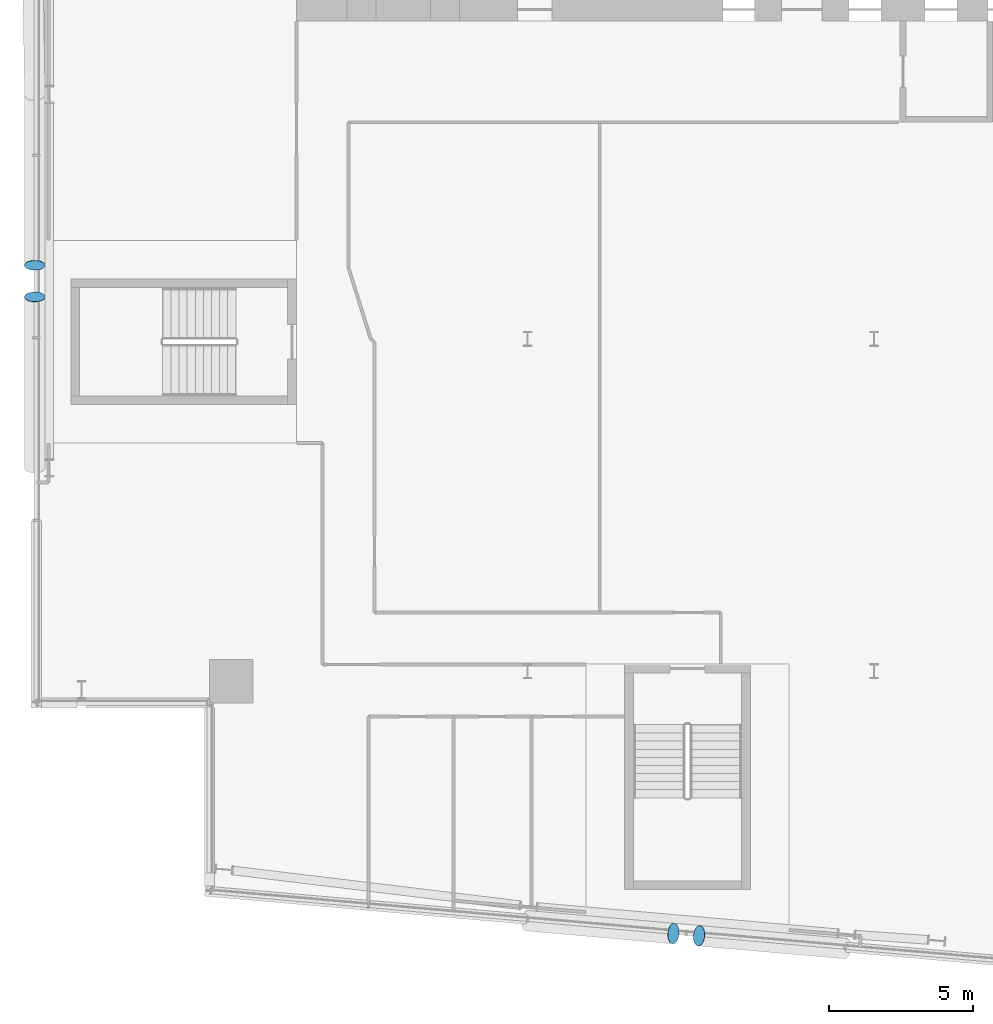
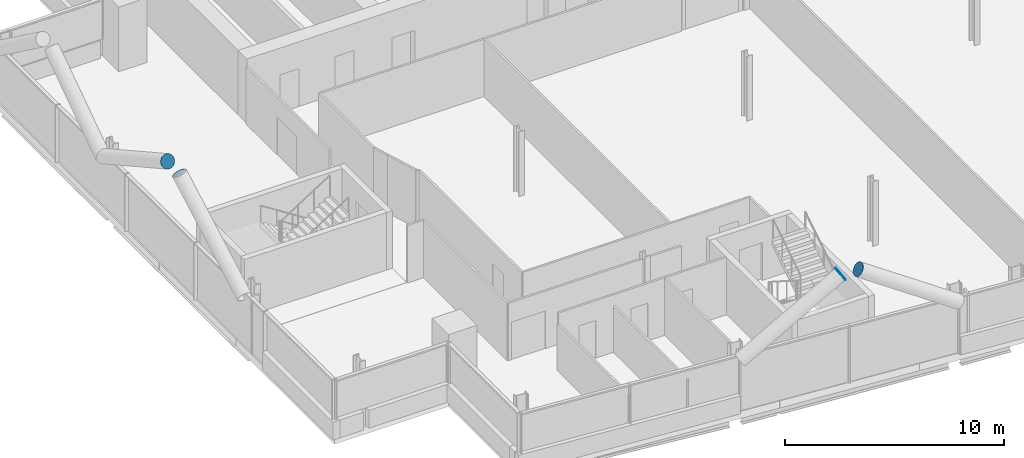
# One storey, part 21 of 26: 4 discrete accessories.
"""IFC4 building model written with IfcOpenShell, lengths in metres."""

import ifcopenshell
import ifcopenshell.guid

model = None  # the IFC model being written
_history = None  # IfcOwnerHistory: only IFC2X3 demands one
_inside = {}  # id of a spatial element -> (the spatial element, [elements in it])
_under = {}  # id of a project, library or spatial element -> (it, [spatial elements below it])
_declared = {}  # id of a project -> (the project, [libraries it declares])
_typed = {}  # id of a type object -> (the type object, [elements of that type])
_made_of = {}  # id of a material, layer set ... -> (it, [elements and type objects made of it])


def new_model(schema):
    """Start an empty IFC model of exactly this schema.

    Asked for "IFC4X3", IfcOpenShell would pick the latest addendum, in which some entities
    have other attributes; the version numbers below select the first issue.
    IFC2X3 requires an IfcOwnerHistory on every rooted entity: one is made here for all.
    """
    global model, _history
    if schema == "IFC4X3":
        model = ifcopenshell.file(schema_version=(4, 3, 0, 0))
    else:
        model = ifcopenshell.file(schema=schema)
    _inside.clear()
    _under.clear()
    _declared.clear()
    _typed.clear()
    _made_of.clear()
    _history = None
    if model.schema == "IFC2X3":
        org = make("IfcOrganization", Name="unknown")
        user = make(
            "IfcPersonAndOrganization",
            ThePerson=make("IfcPerson", FamilyName="unknown"),
            TheOrganization=org,
        )
        app = make(
            "IfcApplication",
            ApplicationDeveloper=org,
            Version="unknown",
            ApplicationFullName="unknown",
            ApplicationIdentifier="unknown",
        )
        _history = make(
            "IfcOwnerHistory",
            OwningUser=user,
            OwningApplication=app,
            ChangeAction="ADDED",
            CreationDate=0,
        )
    return model


def make(cls, **values):
    """One entity of the class cls with the attributes given. An attribute that is None is left unset."""
    return model.create_entity(
        cls, **{name: value for name, value in values.items() if value is not None}
    )


def rooted(cls, **values):
    """An entity with a GlobalId (a new one), such as an element, a storey or a relation."""
    return make(cls, GlobalId=ifcopenshell.guid.new(), OwnerHistory=_history, **values)


def si_unit(unit_type, name, prefix=None):
    """IfcSIUnit, for example si_unit("LENGTHUNIT", "METRE", prefix="MILLI")."""
    return make("IfcSIUnit", UnitType=unit_type, Prefix=prefix, Name=name)


def assignment(units):
    """IfcUnitAssignment: the units of a project."""
    return None if units is None else make("IfcUnitAssignment", Units=units)


def point(xyz):
    """IfcCartesianPoint."""
    return None if xyz is None else make("IfcCartesianPoint", Coordinates=xyz)


def direction(xyz):
    """IfcDirection."""
    return None if xyz is None else make("IfcDirection", DirectionRatios=xyz)


def frame(location, z_axis=None, x_axis=None):
    """IfcAxis2Placement3D, a coordinate frame: its origin and axes. An axis left out is left unset."""
    return make(
        "IfcAxis2Placement3D",
        Location=point(location),
        Axis=direction(z_axis),
        RefDirection=direction(x_axis),
    )


def frame_2d(location, x_axis=None):
    """IfcAxis2Placement2D, a coordinate frame in the plane: its origin and x axis."""
    return make(
        "IfcAxis2Placement2D", Location=point(location), RefDirection=direction(x_axis)
    )


def origin():
    """The frame at (0, 0, 0) with its axes left unset."""
    return frame((0.0, 0.0, 0.0))


def origin_2d():
    """The frame at (0, 0) in the plane with its x axis left unset."""
    return frame_2d((0.0, 0.0))


def place(relative_to, where):
    """IfcLocalPlacement: puts the frame where relative to a parent placement (None: the world)."""
    return make(
        "IfcLocalPlacement", PlacementRelTo=relative_to, RelativePlacement=where
    )


def context(
    kind, dimensions, precision=None, world=None, true_north=None, identifier=None
):
    """IfcGeometricRepresentationContext, for example the 3D "Model" context."""
    return make(
        "IfcGeometricRepresentationContext",
        ContextIdentifier=identifier,
        ContextType=kind,
        CoordinateSpaceDimension=dimensions,
        Precision=precision,
        WorldCoordinateSystem=world,
        TrueNorth=true_north,
    )


def subcontext(parent, identifier, kind, view, scale=None):
    """IfcGeometricRepresentationSubContext, for example "Body" below "Model"."""
    return make(
        "IfcGeometricRepresentationSubContext",
        ContextIdentifier=identifier,
        ContextType=kind,
        ParentContext=parent,
        TargetScale=scale,
        TargetView=view,
    )


def project(units=None, contexts=None):
    """IfcProject with its units and contexts."""
    return rooted(
        "IfcProject",
        Name="project",
        RepresentationContexts=contexts,
        UnitsInContext=assignment(units),
    )


def spatial(cls, under=None, at=None, **own):
    """A site, building, storey or space (cls), placed at a placement, below another one or the project."""
    s = rooted(cls, ObjectPlacement=at, **own)
    if under is not None:
        _under.setdefault(under.id(), (under, []))[1].append(s)
    return s


def profile(cls, at=None, kind="AREA", **sizes):
    """A parametric profile (cls). Its sizes go by their IFC names, for example OverallWidth=200.0."""
    return make(cls, ProfileType=kind, Position=at, **sizes)


def circle(**sizes):
    """IfcCircleProfileDef."""
    return profile("IfcCircleProfileDef", **sizes)


def extrude(swept, where, along, depth):
    """IfcExtrudedAreaSolid: the profile swept, set in the frame where, extruded along a direction by depth."""
    return make(
        "IfcExtrudedAreaSolid",
        SweptArea=swept,
        Position=where,
        ExtrudedDirection=direction(along),
        Depth=depth,
    )


def shape(context_of_items, identifier, shape_type, items):
    """IfcShapeRepresentation: the items that make up one representation, for example the "Body"."""
    return make(
        "IfcShapeRepresentation",
        ContextOfItems=context_of_items,
        RepresentationIdentifier=identifier,
        RepresentationType=shape_type,
        Items=items,
    )


def material(Name=None, Category=None):
    """IfcMaterial."""
    return make("IfcMaterial", Name=Name, Category=Category)


def material_profile(
    of_material, cross_section, Name=None, Category=None, Priority=None
):
    """IfcMaterialProfile: a cross section and its material."""
    return make(
        "IfcMaterialProfile",
        Name=Name,
        Material=of_material,
        Profile=cross_section,
        Priority=Priority,
        Category=Category,
    )


def profile_set(profiles, Name=None, composite=None):
    """IfcMaterialProfileSet."""
    return make(
        "IfcMaterialProfileSet",
        Name=Name,
        MaterialProfiles=profiles,
        CompositeProfile=composite,
    )


def made_of(thing, what):
    """Note that an element or type object is made of a material, layer set ...; save() writes the relation."""
    if what is not None:
        _made_of.setdefault(what.id(), (what, []))[1].append(thing)
    return thing


def type_object(cls, material=None, **own):
    """A type object (cls), such as IfcWallType, which elements share."""
    return made_of(rooted(cls, **own), material)


def element(
    cls,
    number,
    at=None,
    inside=None,
    cuts=None,
    type_object=None,
    material=None,
    context=None,
    identifier="Body",
    shape_type=None,
    held_by="IfcProductDefinitionShape",
    body=None,
    shapes=None,
    **own,
):
    """One element of the class cls, such as IfcWall. Its Tag is "e" and its number.

    at: its placement. inside: the storey or other place that contains it. cuts: it is an
    opening in that element (IfcRelVoidsElement). A single representation is given by context,
    identifier, shape_type and body (its items); several are given by shapes. held_by: the class
    of the entity that holds the representations. save() writes the other relations.
    """
    e = rooted(cls, Tag="e%d" % number, ObjectPlacement=at, **own)
    if body is not None:
        shapes = [shape(context, identifier, shape_type, body)]
    if shapes is not None:
        e.Representation = make(held_by, Representations=shapes)
    if inside is not None:
        _inside.setdefault(inside.id(), (inside, []))[1].append(e)
    if cuts is not None:
        rooted(
            "IfcRelVoidsElement", RelatingBuildingElement=cuts, RelatedOpeningElement=e
        )
    if type_object is not None:
        _typed.setdefault(type_object.id(), (type_object, []))[1].append(e)
    return made_of(e, material)


def aggregate(whole, parts):
    """IfcRelAggregates: a whole, such as a stair, and the parts it consists of."""
    return rooted("IfcRelAggregates", RelatingObject=whole, RelatedObjects=parts)


def save(model, path):
    """Write the relations noted so far, then the file.

    IfcRelAggregates (storeys below a building ...), IfcRelContainedInSpatialStructure (elements
    in a storey), IfcRelDefinesByType, IfcRelAssociatesMaterial and IfcRelDeclares: one each for
    every whole, place, type object, material and project.
    """
    for whole, parts in _under.values():
        aggregate(whole, parts)
    for where, things in _inside.values():
        rooted(
            "IfcRelContainedInSpatialStructure",
            RelatedElements=things,
            RelatingStructure=where,
        )
    for kind, things in _typed.values():
        rooted("IfcRelDefinesByType", RelatedObjects=things, RelatingType=kind)
    for what, things in _made_of.values():
        rooted("IfcRelAssociatesMaterial", RelatedObjects=things, RelatingMaterial=what)
    for by, libraries in _declared.values():
        rooted("IfcRelDeclares", RelatingContext=by, RelatedDefinitions=libraries)
    model.write(path)


model = new_model("IFC4")

# Units and contexts
model_context = context("Model", 3, precision=1e-05, world=origin(), true_north=direction((0.0, 1.0)))
body_context = subcontext(model_context, "Body", "Model", "MODEL_VIEW")
ifc_project = project(units=[si_unit("LENGTHUNIT", "METRE"), si_unit("AREAUNIT", "SQUARE_METRE"), si_unit("VOLUMEUNIT", "CUBIC_METRE"), si_unit("PLANEANGLEUNIT", "RADIAN"), si_unit("MASSUNIT", "GRAM", prefix="KILO")], contexts=[model_context])

# Site, building, storey
site_placement = place(None, origin())
site = spatial("IfcSite", under=ifc_project, at=site_placement, CompositionType="ELEMENT")
building_placement = place(site_placement, origin())
building = spatial("IfcBuilding", under=site, at=building_placement, Name="Wharfspan Tower", CompositionType="ELEMENT")
storey_placement = place(building_placement, frame((0.0, 0.0, 177.100098)))
storey = spatial("IfcBuildingStorey", under=building, at=storey_placement, Name="L43", CompositionType="ELEMENT", Elevation=177.100098)

# Discrete accessories
ifc_material = material(Name="Steel S460NH", Category="steel")
ifc_material_profile = material_profile(ifc_material, circle(Radius=0.355469, at=origin_2d()))
ifc_profile_set = profile_set([ifc_material_profile], Name="Steel S460NH")
discrete_accessory_type = type_object("IfcDiscreteAccessoryType", Name="End plate CHS 711x36", PredefinedType="BRACKET", material=ifc_profile_set)
for number, where, z_axis, x_axis, name in (
    (1, (29.043213, 2.41626, 6.204102), (0.844416, -0.072379, 0.530776), (0.085402, 0.99635, 0.0), "End plate CHS 711x36"),
    (2, (29.947021, 2.337158, 6.204102), (-0.837276, 0.073877, 0.541767), (-0.087893, -0.996132, 1e-06), "End plate CHS 711x36"),
    (3, (6.945068, 25.554443, 6.191406), (0.0, -0.884385, 0.466759), (1.0, 0.0, 0.0), "End plate CHS 711x36"),
    (4, (6.945068, 24.445557, 6.191406), (0.0, 0.884385, 0.466759), (-1.0, 0.0, 0.0), "End plate CHS 711x36"),
):
    element("IfcDiscreteAccessory", number, at=place(storey_placement, frame(where, z_axis=z_axis, x_axis=x_axis)), inside=storey, type_object=discrete_accessory_type, Name=name, PredefinedType="BRACKET", context=body_context, shape_type="SweptSolid", body=[
        extrude(circle(Radius=0.355469, at=origin_2d()), origin(), (0.0, 0.0, 1.0), 0.01001),
    ])

save(model, "model.ifc")
